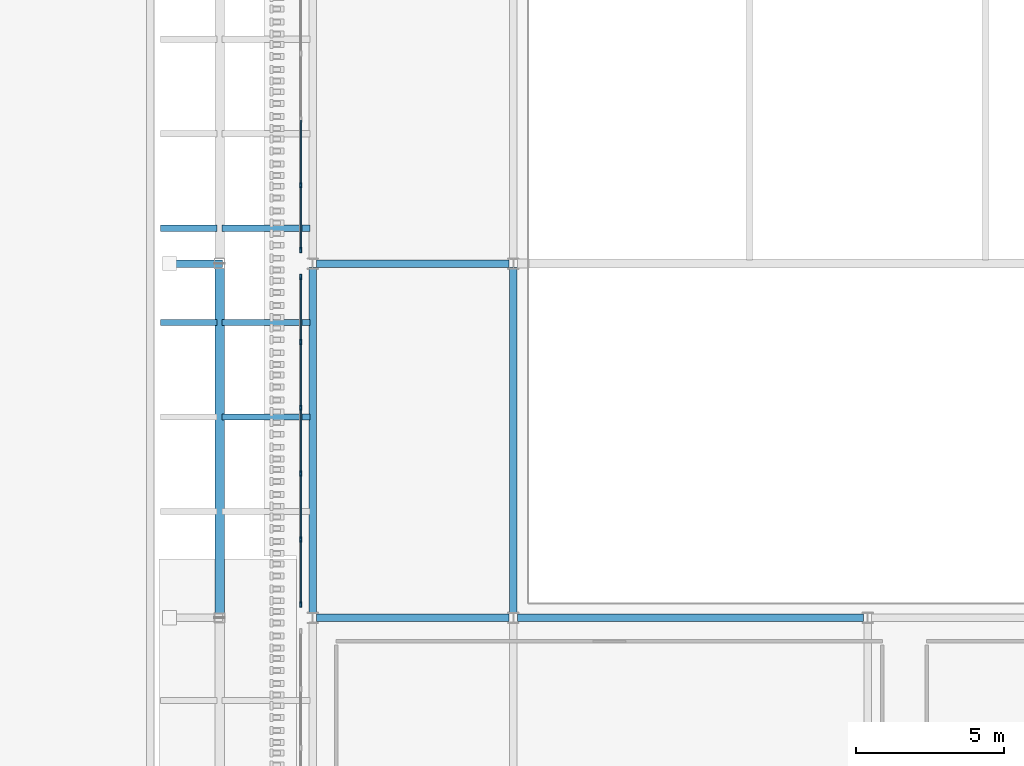
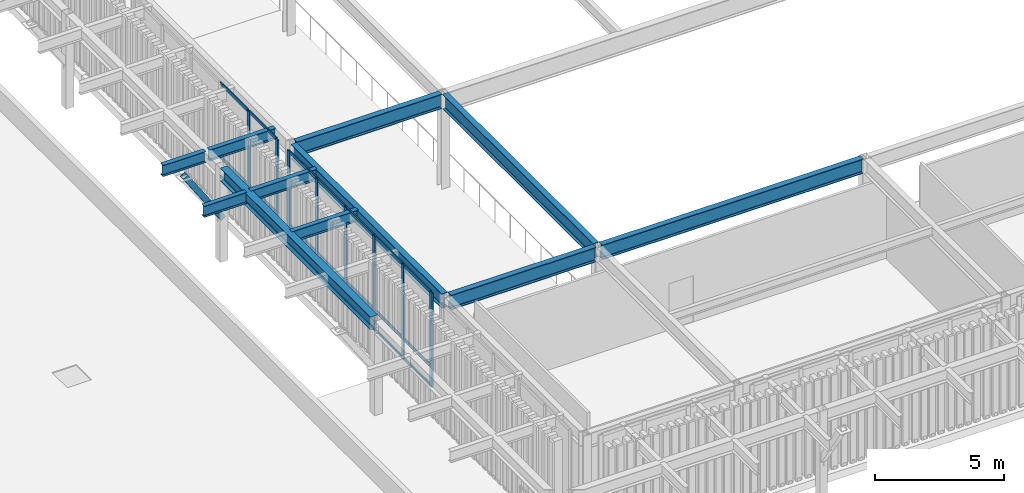
# One storey, part 44 of 126: 30 members, 11 beams, 2 elements without a shape of their own.
"""IFC4 building model written with IfcOpenShell, lengths in metres."""

import ifcopenshell
import ifcopenshell.guid

model = None  # the IFC model being written
_history = None  # IfcOwnerHistory: only IFC2X3 demands one
_inside = {}  # id of a spatial element -> (the spatial element, [elements in it])
_under = {}  # id of a project, library or spatial element -> (it, [spatial elements below it])
_declared = {}  # id of a project -> (the project, [libraries it declares])
_typed = {}  # id of a type object -> (the type object, [elements of that type])
_made_of = {}  # id of a material, layer set ... -> (it, [elements and type objects made of it])


def new_model(schema):
    """Start an empty IFC model of exactly this schema.

    Asked for "IFC4X3", IfcOpenShell would pick the latest addendum, in which some entities
    have other attributes; the version numbers below select the first issue.
    IFC2X3 requires an IfcOwnerHistory on every rooted entity: one is made here for all.
    """
    global model, _history
    if schema == "IFC4X3":
        model = ifcopenshell.file(schema_version=(4, 3, 0, 0))
    else:
        model = ifcopenshell.file(schema=schema)
    _inside.clear()
    _under.clear()
    _declared.clear()
    _typed.clear()
    _made_of.clear()
    _history = None
    if model.schema == "IFC2X3":
        org = make("IfcOrganization", Name="unknown")
        user = make(
            "IfcPersonAndOrganization",
            ThePerson=make("IfcPerson", FamilyName="unknown"),
            TheOrganization=org,
        )
        app = make(
            "IfcApplication",
            ApplicationDeveloper=org,
            Version="unknown",
            ApplicationFullName="unknown",
            ApplicationIdentifier="unknown",
        )
        _history = make(
            "IfcOwnerHistory",
            OwningUser=user,
            OwningApplication=app,
            ChangeAction="ADDED",
            CreationDate=0,
        )
    return model


def make(cls, **values):
    """One entity of the class cls with the attributes given. An attribute that is None is left unset."""
    return model.create_entity(
        cls, **{name: value for name, value in values.items() if value is not None}
    )


def rooted(cls, **values):
    """An entity with a GlobalId (a new one), such as an element, a storey or a relation."""
    return make(cls, GlobalId=ifcopenshell.guid.new(), OwnerHistory=_history, **values)


def si_unit(unit_type, name, prefix=None):
    """IfcSIUnit, for example si_unit("LENGTHUNIT", "METRE", prefix="MILLI")."""
    return make("IfcSIUnit", UnitType=unit_type, Prefix=prefix, Name=name)


def derived_unit(unit_type, elements):
    """IfcDerivedUnit: a product of units, each with its exponent."""
    return make(
        "IfcDerivedUnit",
        Elements=[
            make("IfcDerivedUnitElement", Unit=unit, Exponent=power)
            for unit, power in elements
        ],
        UnitType=unit_type,
    )


def assignment(units):
    """IfcUnitAssignment: the units of a project."""
    return None if units is None else make("IfcUnitAssignment", Units=units)


def point(xyz):
    """IfcCartesianPoint."""
    return None if xyz is None else make("IfcCartesianPoint", Coordinates=xyz)


def direction(xyz):
    """IfcDirection."""
    return None if xyz is None else make("IfcDirection", DirectionRatios=xyz)


def frame(location, z_axis=None, x_axis=None):
    """IfcAxis2Placement3D, a coordinate frame: its origin and axes. An axis left out is left unset."""
    return make(
        "IfcAxis2Placement3D",
        Location=point(location),
        Axis=direction(z_axis),
        RefDirection=direction(x_axis),
    )


def frame_2d(location, x_axis=None):
    """IfcAxis2Placement2D, a coordinate frame in the plane: its origin and x axis."""
    return make(
        "IfcAxis2Placement2D", Location=point(location), RefDirection=direction(x_axis)
    )


def origin():
    """The frame at (0, 0, 0) with its axes left unset."""
    return frame((0.0, 0.0, 0.0))


def origin_2d():
    """The frame at (0, 0) in the plane with its x axis left unset."""
    return frame_2d((0.0, 0.0))


def place(relative_to, where):
    """IfcLocalPlacement: puts the frame where relative to a parent placement (None: the world)."""
    return make(
        "IfcLocalPlacement", PlacementRelTo=relative_to, RelativePlacement=where
    )


def context(
    kind, dimensions, precision=None, world=None, true_north=None, identifier=None
):
    """IfcGeometricRepresentationContext, for example the 3D "Model" context."""
    return make(
        "IfcGeometricRepresentationContext",
        ContextIdentifier=identifier,
        ContextType=kind,
        CoordinateSpaceDimension=dimensions,
        Precision=precision,
        WorldCoordinateSystem=world,
        TrueNorth=true_north,
    )


def subcontext(parent, identifier, kind, view, scale=None):
    """IfcGeometricRepresentationSubContext, for example "Body" below "Model"."""
    return make(
        "IfcGeometricRepresentationSubContext",
        ContextIdentifier=identifier,
        ContextType=kind,
        ParentContext=parent,
        TargetScale=scale,
        TargetView=view,
    )


def project(units=None, contexts=None):
    """IfcProject with its units and contexts."""
    return rooted(
        "IfcProject",
        Name="project",
        RepresentationContexts=contexts,
        UnitsInContext=assignment(units),
    )


def spatial(cls, under=None, at=None, **own):
    """A site, building, storey or space (cls), placed at a placement, below another one or the project."""
    s = rooted(cls, ObjectPlacement=at, **own)
    if under is not None:
        _under.setdefault(under.id(), (under, []))[1].append(s)
    return s


def profile(cls, at=None, kind="AREA", **sizes):
    """A parametric profile (cls). Its sizes go by their IFC names, for example OverallWidth=200.0."""
    return make(cls, ProfileType=kind, Position=at, **sizes)


def rectangle(**sizes):
    """IfcRectangleProfileDef."""
    return profile("IfcRectangleProfileDef", **sizes)


def hollow_rectangle(**sizes):
    """IfcRectangleHollowProfileDef."""
    return profile("IfcRectangleHollowProfileDef", **sizes)


def i_section(**sizes):
    """IfcIShapeProfileDef."""
    return profile("IfcIShapeProfileDef", **sizes)


def extrude(swept, where, along, depth):
    """IfcExtrudedAreaSolid: the profile swept, set in the frame where, extruded along a direction by depth."""
    return make(
        "IfcExtrudedAreaSolid",
        SweptArea=swept,
        Position=where,
        ExtrudedDirection=direction(along),
        Depth=depth,
    )


def shape(context_of_items, identifier, shape_type, items):
    """IfcShapeRepresentation: the items that make up one representation, for example the "Body"."""
    return make(
        "IfcShapeRepresentation",
        ContextOfItems=context_of_items,
        RepresentationIdentifier=identifier,
        RepresentationType=shape_type,
        Items=items,
    )


def material(Name=None, Category=None):
    """IfcMaterial."""
    return make("IfcMaterial", Name=Name, Category=Category)


def layer(
    of_material, thickness, ventilated=None, Name=None, Category=None, Priority=None
):
    """IfcMaterialLayer: one layer of a wall or slab, of a material (None: an air gap)."""
    return make(
        "IfcMaterialLayer",
        Material=of_material,
        LayerThickness=thickness,
        IsVentilated=ventilated,
        Name=Name,
        Category=Category,
        Priority=Priority,
    )


def layer_set(layers, Name=None):
    """IfcMaterialLayerSet."""
    return make("IfcMaterialLayerSet", MaterialLayers=layers, LayerSetName=Name)


def material_profile(
    of_material, cross_section, Name=None, Category=None, Priority=None
):
    """IfcMaterialProfile: a cross section and its material."""
    return make(
        "IfcMaterialProfile",
        Name=Name,
        Material=of_material,
        Profile=cross_section,
        Priority=Priority,
        Category=Category,
    )


def profile_set(profiles, Name=None, composite=None):
    """IfcMaterialProfileSet."""
    return make(
        "IfcMaterialProfileSet",
        Name=Name,
        MaterialProfiles=profiles,
        CompositeProfile=composite,
    )


def made_of(thing, what):
    """Note that an element or type object is made of a material, layer set ...; save() writes the relation."""
    if what is not None:
        _made_of.setdefault(what.id(), (what, []))[1].append(thing)
    return thing


def type_object(cls, material=None, **own):
    """A type object (cls), such as IfcWallType, which elements share."""
    return made_of(rooted(cls, **own), material)


def element(
    cls,
    number,
    at=None,
    inside=None,
    cuts=None,
    type_object=None,
    material=None,
    context=None,
    identifier="Body",
    shape_type=None,
    held_by="IfcProductDefinitionShape",
    body=None,
    shapes=None,
    **own,
):
    """One element of the class cls, such as IfcWall. Its Tag is "e" and its number.

    at: its placement. inside: the storey or other place that contains it. cuts: it is an
    opening in that element (IfcRelVoidsElement). A single representation is given by context,
    identifier, shape_type and body (its items); several are given by shapes. held_by: the class
    of the entity that holds the representations. save() writes the other relations.
    """
    e = rooted(cls, Tag="e%d" % number, ObjectPlacement=at, **own)
    if body is not None:
        shapes = [shape(context, identifier, shape_type, body)]
    if shapes is not None:
        e.Representation = make(held_by, Representations=shapes)
    if inside is not None:
        _inside.setdefault(inside.id(), (inside, []))[1].append(e)
    if cuts is not None:
        rooted(
            "IfcRelVoidsElement", RelatingBuildingElement=cuts, RelatedOpeningElement=e
        )
    if type_object is not None:
        _typed.setdefault(type_object.id(), (type_object, []))[1].append(e)
    return made_of(e, material)


def aggregate(whole, parts):
    """IfcRelAggregates: a whole, such as a stair, and the parts it consists of."""
    return rooted("IfcRelAggregates", RelatingObject=whole, RelatedObjects=parts)


def save(model, path):
    """Write the relations noted so far, then the file.

    IfcRelAggregates (storeys below a building ...), IfcRelContainedInSpatialStructure (elements
    in a storey), IfcRelDefinesByType, IfcRelAssociatesMaterial and IfcRelDeclares: one each for
    every whole, place, type object, material and project.
    """
    for whole, parts in _under.values():
        aggregate(whole, parts)
    for where, things in _inside.values():
        rooted(
            "IfcRelContainedInSpatialStructure",
            RelatedElements=things,
            RelatingStructure=where,
        )
    for kind, things in _typed.values():
        rooted("IfcRelDefinesByType", RelatedObjects=things, RelatingType=kind)
    for what, things in _made_of.values():
        rooted("IfcRelAssociatesMaterial", RelatedObjects=things, RelatingMaterial=what)
    for by, libraries in _declared.values():
        rooted("IfcRelDeclares", RelatingContext=by, RelatedDefinitions=libraries)
    model.write(path)


model = new_model("IFC4")

# Units and contexts
model_context = context("Model", 3, precision=1e-05, world=origin(), true_north=direction((0.0, 1.0)))
body_context = subcontext(model_context, "Body", "Model", "MODEL_VIEW")
ifc_project = project(units=[si_unit("LENGTHUNIT", "METRE"), si_unit("AREAUNIT", "SQUARE_METRE"), si_unit("VOLUMEUNIT", "CUBIC_METRE"), si_unit("PLANEANGLEUNIT", "RADIAN"), si_unit("MASSUNIT", "GRAM", prefix="KILO"), derived_unit("THERMALTRANSMITTANCEUNIT", [(si_unit("MASSUNIT", "GRAM", prefix="KILO"), 1), (si_unit("TIMEUNIT", "SECOND"), -3), (si_unit("THERMODYNAMICTEMPERATUREUNIT", "KELVIN"), -1)])], contexts=[model_context])

# Site, building, storey
site_placement = place(None, origin())
site = spatial("IfcSite", under=ifc_project, at=site_placement, CompositionType="ELEMENT")
building_placement = place(site_placement, origin())
building = spatial("IfcBuilding", under=site, at=building_placement, Name="Valcora Ridge Arena", CompositionType="ELEMENT")
storey_placement = place(building_placement, frame((0.0, 0.0, 11.39990234375)))
storey = spatial("IfcBuildingStorey", under=building, at=storey_placement, Name="L02", CompositionType="ELEMENT", Elevation=11.39990234375)

# Beams
ifc_material_1 = material(Name="Steel ASTM A572 Grade 50", Category="steel")
ifc_material_profile_1 = material_profile(ifc_material_1, i_section(OverallWidth=0.324951171875, OverallDepth=0.612060546875, WebThickness=0.0126953125, FlangeThickness=0.01904296875, FilletRadius=0.01806640625, at=origin_2d()), Name="W24X104")
ifc_profile_set_1 = profile_set([ifc_material_profile_1], Name="Steel ASTM A572 Grade 50")
beam_type_1 = type_object("IfcBeamType", Name="TY-BEAM-G-COL-W24", PredefinedType="BEAM", material=ifc_profile_set_1)
beam_1_placement = place(storey_placement, frame((134.050048828125, 16.159912109375, 4.174072265625), z_axis=(0.0, 1.0, 0.0), x_axis=(-1.0, 0.0, 0.0)))
element("IfcBeam", 1, at=beam_1_placement, inside=storey, type_object=beam_type_1, Name="G-COL-W24 BEM-G-COL-W24-0003", PredefinedType="BEAM", context=body_context, shape_type="SweptSolid", body=[
    extrude(i_section(OverallWidth=0.324951171875, OverallDepth=0.612060546875, WebThickness=0.0126953125, FlangeThickness=0.01904296875, FilletRadius=0.01806640625, at=origin_2d()), origin(), (0.0, 0.0, 1.0), 11.68017578125),
])
ifc_material_profile_2 = material_profile(ifc_material_1, i_section(OverallWidth=0.256103515625, OverallDepth=0.693115234375, WebThickness=0.014404296875, FlangeThickness=0.023681640625, FilletRadius=0.02001953125, at=origin_2d()), Name="W27X114")
ifc_profile_set_2 = profile_set([ifc_material_profile_2], Name="Steel ASTM A572 Grade 50")
beam_type_2 = type_object("IfcBeamType", Name="TY-BEAM-G-W27X114-X", PredefinedType="BEAM", material=ifc_profile_set_2)
beam_2_placement = place(storey_placement, frame((137.340087890625, 16.0, 4.133544921875), z_axis=(1.0, 0.0, 0.0), x_axis=(0.0, 1.0, 0.0)))
element("IfcBeam", 2, at=beam_2_placement, inside=storey, type_object=beam_type_2, Name="G-W27X114-X BEM-G-W27X114-X-0038", PredefinedType="BEAM", context=body_context, shape_type="SweptSolid", body=[
    extrude(i_section(OverallWidth=0.256103515625, OverallDepth=0.693115234375, WebThickness=0.014404296875, FlangeThickness=0.023681640625, FilletRadius=0.02001953125, at=origin_2d()), origin(), (0.0, 0.0, 1.0), 6.52001953125),
])
beam_3_placement = place(storey_placement, frame((144.139892578125, 16.0, 4.133544921875), z_axis=(1.0, 0.0, 0.0), x_axis=(0.0, 1.0, 0.0)))
element("IfcBeam", 3, at=beam_3_placement, inside=storey, type_object=beam_type_2, Name="G-W27X114-X BEM-G-W27X114-X-0039", PredefinedType="BEAM", context=body_context, shape_type="SweptSolid", body=[
    extrude(i_section(OverallWidth=0.256103515625, OverallDepth=0.693115234375, WebThickness=0.014404296875, FlangeThickness=0.023681640625, FilletRadius=0.02001953125, at=origin_2d()), origin(), (0.0, 0.0, 1.0), 11.72021484375),
])
beam_4_placement = place(storey_placement, frame((137.340087890625, 28.0, 4.133544921875), z_axis=(1.0, 0.0, 0.0), x_axis=(0.0, 1.0, 0.0)))
element("IfcBeam", 4, at=beam_4_placement, inside=storey, type_object=beam_type_2, Name="G-W27X114-X BEM-G-W27X114-X-0041", PredefinedType="BEAM", context=body_context, shape_type="SweptSolid", body=[
    extrude(i_section(OverallWidth=0.256103515625, OverallDepth=0.693115234375, WebThickness=0.014404296875, FlangeThickness=0.023681640625, FilletRadius=0.02001953125, at=origin_2d()), origin(), (0.0, 0.0, 1.0), 6.52001953125),
])
ifc_material_profile_3 = material_profile(ifc_material_1, i_section(OverallWidth=0.256103515625, OverallDepth=0.693115234375, WebThickness=0.014404296875, FlangeThickness=0.023681640625, FilletRadius=0.02001953125, at=origin_2d()), Name="W27X114")
ifc_profile_set_3 = profile_set([ifc_material_profile_3], Name="Steel ASTM A572 Grade 50")
beam_type_3 = type_object("IfcBeamType", Name="TY-BEAM-G-W27X114-Y", PredefinedType="BEAM", material=ifc_profile_set_3)
for number, where, z_axis, x_axis, name in (
    (5, (137.199951171875, 16.139892578125, 4.133544921875), (0.0, 1.0, 0.0), (-1.0, 0.0, 0.0), "G-W27X114-Y BEM-G-W27X114-Y-0060"),
    (6, (144.0, 16.139892578125, 4.133544921875), (0.0, 1.0, 0.0), (-1.0, 0.0, 0.0), "G-W27X114-Y BEM-G-W27X114-Y-0066"),
):
    element("IfcBeam", number, at=place(storey_placement, frame(where, z_axis=z_axis, x_axis=x_axis)), inside=storey, type_object=beam_type_3, Name=name, PredefinedType="BEAM", context=body_context, shape_type="SweptSolid", body=[
        extrude(i_section(OverallWidth=0.256103515625, OverallDepth=0.693115234375, WebThickness=0.014404296875, FlangeThickness=0.023681640625, FilletRadius=0.02001953125, at=origin_2d()), origin(), (0.0, 0.0, 1.0), 11.72021484375),
    ])
ifc_material_profile_4 = material_profile(ifc_material_1, i_section(OverallWidth=0.208984375, OverallDepth=0.532958984375, WebThickness=0.01025390625, FlangeThickness=0.015625, FilletRadius=0.01611328125, at=origin_2d()), Name="W21X62")
ifc_profile_set_4 = profile_set([ifc_material_profile_4], Name="Steel ASTM A572 Grade 50")
beam_type_4 = type_object("IfcBeamType", Name="TY-BEAM-RAF-EAVE-W21", PredefinedType="BEAM", material=ifc_profile_set_4)
for number, where, z_axis, x_axis, name in (
    (7, (134.1298828125, 22.800048828125, 4.213623046875), (1.0, 0.0, 0.0), (0.0, 1.0, 0.0), "RAF-EAVE-W21 BEM-RAF-EAVE-W21-0005"),
    (8, (134.1298828125, 26.0, 4.213623046875), (1.0, 0.0, 0.0), (0.0, 1.0, 0.0), "RAF-EAVE-W21 BEM-RAF-EAVE-W21-0006"),
    (9, (134.1298828125, 29.199951171875, 4.213623046875), (1.0, 0.0, 0.0), (0.0, 1.0, 0.0), "RAF-EAVE-W21 BEM-RAF-EAVE-W21-0007"),
):
    element("IfcBeam", number, at=place(storey_placement, frame(where, z_axis=z_axis, x_axis=x_axis)), inside=storey, type_object=beam_type_4, Name=name, PredefinedType="BEAM", context=body_context, shape_type="SweptSolid", body=[
        extrude(i_section(OverallWidth=0.208984375, OverallDepth=0.532958984375, WebThickness=0.01025390625, FlangeThickness=0.015625, FilletRadius=0.01611328125, at=origin_2d()), origin(), (0.0, 0.0, 1.0), 2.990234375),
    ])
ifc_material_profile_5 = material_profile(ifc_material_1, i_section(OverallWidth=0.208984375, OverallDepth=0.532958984375, WebThickness=0.01025390625, FlangeThickness=0.015625, FilletRadius=0.01611328125, at=origin_2d()), Name="W21X62")
ifc_profile_set_5 = profile_set([ifc_material_profile_5], Name="Steel ASTM A572 Grade 50")
beam_type_5 = type_object("IfcBeamType", Name="TY-BEAM-RAF-TIP-W21", PredefinedType="BEAM", material=ifc_profile_set_5)
for number, where, z_axis, x_axis, name in (
    (10, (132.050048828125, 26.0, 4.213623046875), (1.0, 0.0, 0.0), (0.0, 1.0, 0.0), "RAF-TIP-W21 BEM-RAF-TIP-W21-0006"),
    (11, (132.050048828125, 29.199951171875, 4.213623046875), (1.0, 0.0, 0.0), (0.0, 1.0, 0.0), "RAF-TIP-W21 BEM-RAF-TIP-W21-0007"),
):
    element("IfcBeam", number, at=place(storey_placement, frame(where, z_axis=z_axis, x_axis=x_axis)), inside=storey, type_object=beam_type_5, Name=name, PredefinedType="BEAM", context=body_context, shape_type="SweptSolid", body=[
        extrude(i_section(OverallWidth=0.208984375, OverallDepth=0.532958984375, WebThickness=0.01025390625, FlangeThickness=0.015625, FilletRadius=0.01611328125, at=origin_2d()), origin(), (0.0, 0.0, 1.0), 1.919921875),
    ])

# Curtain wall, members
ifc_material_2 = material(Name="Anodised dark bronze architectural aluminium 6063-T6", Category="aluminium")
ifc_layer = layer(ifc_material_2, 0.179931640625, Name="Anodised dark bronze architectural aluminium 6063-T6")
ifc_layer_set = layer_set([ifc_layer], Name="Anodised dark bronze architectural aluminium 6063-T6")
curtain_wall_type = type_object("IfcCurtainWallType", Name="TY-CURTAINWALL-CW-V2-GLAZ-111X45", PredefinedType="NOTDEFINED", material=ifc_layer_set)
curtain_wall_1_placement = place(storey_placement, origin())
curtain_wall_1 = element("IfcCurtainWall", 12, at=curtain_wall_1_placement, inside=storey, type_object=curtain_wall_type, Name="CW-V2-GLAZ-111X45 CW-0061", PredefinedType="NOTDEFINED")
ifc_material_profile_6 = material_profile(ifc_material_2, rectangle(XDim=0.06005859375, YDim=0.179931640625, at=origin_2d()), Name="ALU MULLION 60x180")
ifc_profile_set_6 = profile_set([ifc_material_profile_6], Name="Anodised dark bronze architectural aluminium 6063-T6")
member_type_1 = type_object("IfcMemberType", Name="TY-MEM-CWM-60x180", PredefinedType="MULLION", material=ifc_profile_set_6)
member_1_placement = place(storey_placement, frame((136.800048828125, 16.45654296875, 0.0), z_axis=(0.0, 0.0, 1.0), x_axis=(-1.0, 0.0, 0.0)))
member_1 = element("IfcMember", 13, at=member_1_placement, type_object=member_type_1, Name="CW-0061/CWM-60x180/M00", PredefinedType="MULLION", context=body_context, shape_type="SweptSolid", body=[
    extrude(rectangle(XDim=0.06005859375, YDim=0.179931640625, at=origin_2d()), origin(), (0.0, 0.0, 1.0), 4.47998046875),
])
member_2_placement = place(storey_placement, frame((136.800048828125, 18.656005859375, 0.0), z_axis=(0.0, 0.0, 1.0), x_axis=(-1.0, 0.0, 0.0)))
member_2 = element("IfcMember", 14, at=member_2_placement, type_object=member_type_1, Name="CW-0061/CWM-60x180/M01", PredefinedType="MULLION", context=body_context, shape_type="SweptSolid", body=[
    extrude(rectangle(XDim=0.06005859375, YDim=0.179931640625, at=origin_2d()), origin(), (0.0, 0.0, 1.0), 4.47998046875),
])
member_3_placement = place(storey_placement, frame((136.800048828125, 20.88525390625, 0.0), z_axis=(0.0, 0.0, 1.0), x_axis=(-1.0, 0.0, 0.0)))
member_3 = element("IfcMember", 15, at=member_3_placement, type_object=member_type_1, Name="CW-0061/CWM-60x180/M02", PredefinedType="MULLION", context=body_context, shape_type="SweptSolid", body=[
    extrude(rectangle(XDim=0.06005859375, YDim=0.179931640625, at=origin_2d()), origin(), (0.0, 0.0, 1.0), 4.47998046875),
])
member_4_placement = place(storey_placement, frame((136.800048828125, 23.11474609375, 0.0), z_axis=(0.0, 0.0, 1.0), x_axis=(-1.0, 0.0, 0.0)))
member_4 = element("IfcMember", 16, at=member_4_placement, type_object=member_type_1, Name="CW-0061/CWM-60x180/M03", PredefinedType="MULLION", context=body_context, shape_type="SweptSolid", body=[
    extrude(rectangle(XDim=0.06005859375, YDim=0.179931640625, at=origin_2d()), origin(), (0.0, 0.0, 1.0), 4.47998046875),
])
member_5_placement = place(storey_placement, frame((136.800048828125, 25.343994140625, 0.0), z_axis=(0.0, 0.0, 1.0), x_axis=(-1.0, 0.0, 0.0)))
member_5 = element("IfcMember", 17, at=member_5_placement, type_object=member_type_1, Name="CW-0061/CWM-60x180/M04", PredefinedType="MULLION", context=body_context, shape_type="SweptSolid", body=[
    extrude(rectangle(XDim=0.06005859375, YDim=0.179931640625, at=origin_2d()), origin(), (0.0, 0.0, 1.0), 4.47998046875),
])
member_6_placement = place(storey_placement, frame((136.800048828125, 27.54345703125, 0.0), z_axis=(0.0, 0.0, 1.0), x_axis=(-1.0, 0.0, 0.0)))
member_6 = element("IfcMember", 18, at=member_6_placement, type_object=member_type_1, Name="CW-0061/CWM-60x180/M05", PredefinedType="MULLION", context=body_context, shape_type="SweptSolid", body=[
    extrude(rectangle(XDim=0.06005859375, YDim=0.179931640625, at=origin_2d()), origin(), (0.0, 0.0, 1.0), 4.47998046875),
])

curtain_wall_2_placement = place(storey_placement, origin())
curtain_wall_2 = element("IfcCurtainWall", 19, at=curtain_wall_2_placement, inside=storey, type_object=curtain_wall_type, Name="CW-V2-GLAZ-111X45 CW-0062", PredefinedType="NOTDEFINED")
member_7_placement = place(storey_placement, frame((136.800048828125, 28.45654296875, 0.0), z_axis=(0.0, 0.0, 1.0), x_axis=(-1.0, 0.0, 0.0)))
member_7 = element("IfcMember", 20, at=member_7_placement, type_object=member_type_1, Name="CW-0062/CWM-60x180/M00", PredefinedType="MULLION", context=body_context, shape_type="SweptSolid", body=[
    extrude(rectangle(XDim=0.06005859375, YDim=0.179931640625, at=origin_2d()), origin(), (0.0, 0.0, 1.0), 4.47998046875),
])
member_8_placement = place(storey_placement, frame((136.800048828125, 30.656005859375, 0.0), z_axis=(0.0, 0.0, 1.0), x_axis=(-1.0, 0.0, 0.0)))
member_8 = element("IfcMember", 21, at=member_8_placement, type_object=member_type_1, Name="CW-0062/CWM-60x180/M01", PredefinedType="MULLION", context=body_context, shape_type="SweptSolid", body=[
    extrude(rectangle(XDim=0.06005859375, YDim=0.179931640625, at=origin_2d()), origin(), (0.0, 0.0, 1.0), 4.47998046875),
])

# Member
ifc_material_profile_7 = material_profile(ifc_material_2, rectangle(XDim=0.050048828125, YDim=0.14990234375, at=origin_2d()), Name="ALU TRANSOM 50x150")
ifc_profile_set_7 = profile_set([ifc_material_profile_7], Name="Anodised dark bronze architectural aluminium 6063-T6")
member_type_2 = type_object("IfcMemberType", Name="TY-MEM-CWT-50x150", PredefinedType="USERDEFINED", material=ifc_profile_set_7)
member_9_placement = place(storey_placement, frame((136.800048828125, 16.486572265625, 0.025146484375), z_axis=(0.0, 1.0, 0.0), x_axis=(-1.0, 0.0, 0.0)))
member_9 = element("IfcMember", 22, at=member_9_placement, type_object=member_type_2, Name="CW-0061/CWT-50x150/T00-00", ObjectType="TRANSOM", PredefinedType="USERDEFINED", context=body_context, shape_type="SweptSolid", body=[
    extrude(rectangle(XDim=0.050048828125, YDim=0.14990234375, at=origin_2d()), origin(), (0.0, 0.0, 1.0), 2.138916015625),
])

member_10_placement = place(storey_placement, frame((136.800048828125, 16.486572265625, 0.9501953125), z_axis=(0.0, 1.0, 0.0), x_axis=(-1.0, 0.0, 0.0)))
member_10 = element("IfcMember", 23, at=member_10_placement, type_object=member_type_2, Name="CW-0061/CWT-50x150/T00-01", ObjectType="TRANSOM", PredefinedType="USERDEFINED", context=body_context, shape_type="SweptSolid", body=[
    extrude(rectangle(XDim=0.050048828125, YDim=0.14990234375, at=origin_2d()), origin(), (0.0, 0.0, 1.0), 2.138916015625),
])

member_11_placement = place(storey_placement, frame((136.800048828125, 16.486572265625, 4.455078125), z_axis=(0.0, 1.0, 0.0), x_axis=(-1.0, 0.0, 0.0)))
member_11 = element("IfcMember", 24, at=member_11_placement, type_object=member_type_2, Name="CW-0061/CWT-50x150/T00-02", ObjectType="TRANSOM", PredefinedType="USERDEFINED", context=body_context, shape_type="SweptSolid", body=[
    extrude(rectangle(XDim=0.050048828125, YDim=0.14990234375, at=origin_2d()), origin(), (0.0, 0.0, 1.0), 2.138916015625),
])

member_12_placement = place(storey_placement, frame((136.800048828125, 18.685546875, 0.025146484375), z_axis=(0.0, 1.0, 0.0), x_axis=(-1.0, 0.0, 0.0)))
member_12 = element("IfcMember", 25, at=member_12_placement, type_object=member_type_2, Name="CW-0061/CWT-50x150/T01-00", ObjectType="TRANSOM", PredefinedType="USERDEFINED", context=body_context, shape_type="SweptSolid", body=[
    extrude(rectangle(XDim=0.050048828125, YDim=0.14990234375, at=origin_2d()), origin(), (0.0, 0.0, 1.0), 2.169921875),
])

member_13_placement = place(storey_placement, frame((136.800048828125, 18.685546875, 0.9501953125), z_axis=(0.0, 1.0, 0.0), x_axis=(-1.0, 0.0, 0.0)))
member_13 = element("IfcMember", 26, at=member_13_placement, type_object=member_type_2, Name="CW-0061/CWT-50x150/T01-01", ObjectType="TRANSOM", PredefinedType="USERDEFINED", context=body_context, shape_type="SweptSolid", body=[
    extrude(rectangle(XDim=0.050048828125, YDim=0.14990234375, at=origin_2d()), origin(), (0.0, 0.0, 1.0), 2.169921875),
])

member_14_placement = place(storey_placement, frame((136.800048828125, 18.685546875, 4.455078125), z_axis=(0.0, 1.0, 0.0), x_axis=(-1.0, 0.0, 0.0)))
member_14 = element("IfcMember", 27, at=member_14_placement, type_object=member_type_2, Name="CW-0061/CWT-50x150/T01-02", ObjectType="TRANSOM", PredefinedType="USERDEFINED", context=body_context, shape_type="SweptSolid", body=[
    extrude(rectangle(XDim=0.050048828125, YDim=0.14990234375, at=origin_2d()), origin(), (0.0, 0.0, 1.0), 2.169921875),
])

member_15_placement = place(storey_placement, frame((136.800048828125, 20.91552734375, 0.025146484375), z_axis=(0.0, 1.0, 0.0), x_axis=(-1.0, 0.0, 0.0)))
member_15 = element("IfcMember", 28, at=member_15_placement, type_object=member_type_2, Name="CW-0061/CWT-50x150/T02-00", ObjectType="TRANSOM", PredefinedType="USERDEFINED", context=body_context, shape_type="SweptSolid", body=[
    extrude(rectangle(XDim=0.050048828125, YDim=0.14990234375, at=origin_2d()), origin(), (0.0, 0.0, 1.0), 2.1689453125),
])

member_16_placement = place(storey_placement, frame((136.800048828125, 20.91552734375, 0.9501953125), z_axis=(0.0, 1.0, 0.0), x_axis=(-1.0, 0.0, 0.0)))
member_16 = element("IfcMember", 29, at=member_16_placement, type_object=member_type_2, Name="CW-0061/CWT-50x150/T02-01", ObjectType="TRANSOM", PredefinedType="USERDEFINED", context=body_context, shape_type="SweptSolid", body=[
    extrude(rectangle(XDim=0.050048828125, YDim=0.14990234375, at=origin_2d()), origin(), (0.0, 0.0, 1.0), 2.1689453125),
])

member_17_placement = place(storey_placement, frame((136.800048828125, 20.91552734375, 4.455078125), z_axis=(0.0, 1.0, 0.0), x_axis=(-1.0, 0.0, 0.0)))
member_17 = element("IfcMember", 30, at=member_17_placement, type_object=member_type_2, Name="CW-0061/CWT-50x150/T02-02", ObjectType="TRANSOM", PredefinedType="USERDEFINED", context=body_context, shape_type="SweptSolid", body=[
    extrude(rectangle(XDim=0.050048828125, YDim=0.14990234375, at=origin_2d()), origin(), (0.0, 0.0, 1.0), 2.1689453125),
])

member_18_placement = place(storey_placement, frame((136.800048828125, 23.14453125, 0.025146484375), z_axis=(0.0, 1.0, 0.0), x_axis=(-1.0, 0.0, 0.0)))
member_18 = element("IfcMember", 31, at=member_18_placement, type_object=member_type_2, Name="CW-0061/CWT-50x150/T03-00", ObjectType="TRANSOM", PredefinedType="USERDEFINED", context=body_context, shape_type="SweptSolid", body=[
    extrude(rectangle(XDim=0.050048828125, YDim=0.14990234375, at=origin_2d()), origin(), (0.0, 0.0, 1.0), 2.169921875),
])

member_19_placement = place(storey_placement, frame((136.800048828125, 23.14453125, 0.9501953125), z_axis=(0.0, 1.0, 0.0), x_axis=(-1.0, 0.0, 0.0)))
member_19 = element("IfcMember", 32, at=member_19_placement, type_object=member_type_2, Name="CW-0061/CWT-50x150/T03-01", ObjectType="TRANSOM", PredefinedType="USERDEFINED", context=body_context, shape_type="SweptSolid", body=[
    extrude(rectangle(XDim=0.050048828125, YDim=0.14990234375, at=origin_2d()), origin(), (0.0, 0.0, 1.0), 2.169921875),
])

member_20_placement = place(storey_placement, frame((136.800048828125, 23.14453125, 4.455078125), z_axis=(0.0, 1.0, 0.0), x_axis=(-1.0, 0.0, 0.0)))
member_20 = element("IfcMember", 33, at=member_20_placement, type_object=member_type_2, Name="CW-0061/CWT-50x150/T03-02", ObjectType="TRANSOM", PredefinedType="USERDEFINED", context=body_context, shape_type="SweptSolid", body=[
    extrude(rectangle(XDim=0.050048828125, YDim=0.14990234375, at=origin_2d()), origin(), (0.0, 0.0, 1.0), 2.169921875),
])

member_21_placement = place(storey_placement, frame((136.800048828125, 25.37451171875, 0.025146484375), z_axis=(0.0, 1.0, 0.0), x_axis=(-1.0, 0.0, 0.0)))
member_21 = element("IfcMember", 34, at=member_21_placement, type_object=member_type_2, Name="CW-0061/CWT-50x150/T04-00", ObjectType="TRANSOM", PredefinedType="USERDEFINED", context=body_context, shape_type="SweptSolid", body=[
    extrude(rectangle(XDim=0.050048828125, YDim=0.14990234375, at=origin_2d()), origin(), (0.0, 0.0, 1.0), 2.138916015625),
])

member_22_placement = place(storey_placement, frame((136.800048828125, 25.37451171875, 0.9501953125), z_axis=(0.0, 1.0, 0.0), x_axis=(-1.0, 0.0, 0.0)))
member_22 = element("IfcMember", 35, at=member_22_placement, type_object=member_type_2, Name="CW-0061/CWT-50x150/T04-01", ObjectType="TRANSOM", PredefinedType="USERDEFINED", context=body_context, shape_type="SweptSolid", body=[
    extrude(rectangle(XDim=0.050048828125, YDim=0.14990234375, at=origin_2d()), origin(), (0.0, 0.0, 1.0), 2.138916015625),
])

member_23_placement = place(storey_placement, frame((136.800048828125, 25.37451171875, 4.455078125), z_axis=(0.0, 1.0, 0.0), x_axis=(-1.0, 0.0, 0.0)))
member_23 = element("IfcMember", 36, at=member_23_placement, type_object=member_type_2, Name="CW-0061/CWT-50x150/T04-02", ObjectType="TRANSOM", PredefinedType="USERDEFINED", context=body_context, shape_type="SweptSolid", body=[
    extrude(rectangle(XDim=0.050048828125, YDim=0.14990234375, at=origin_2d()), origin(), (0.0, 0.0, 1.0), 2.138916015625),
])

aggregate(curtain_wall_1, [member_1, member_2, member_3, member_4, member_5, member_6, member_9, member_10, member_11, member_12, member_13, member_14, member_15, member_16, member_17, member_18, member_19, member_20, member_21, member_22, member_23])

member_24_placement = place(storey_placement, frame((136.800048828125, 28.486572265625, 0.025146484375), z_axis=(0.0, 1.0, 0.0), x_axis=(-1.0, 0.0, 0.0)))
member_24 = element("IfcMember", 37, at=member_24_placement, type_object=member_type_2, Name="CW-0062/CWT-50x150/T00-00", ObjectType="TRANSOM", PredefinedType="USERDEFINED", context=body_context, shape_type="SweptSolid", body=[
    extrude(rectangle(XDim=0.050048828125, YDim=0.14990234375, at=origin_2d()), origin(), (0.0, 0.0, 1.0), 2.138916015625),
])

member_25_placement = place(storey_placement, frame((136.800048828125, 28.486572265625, 0.9501953125), z_axis=(0.0, 1.0, 0.0), x_axis=(-1.0, 0.0, 0.0)))
member_25 = element("IfcMember", 38, at=member_25_placement, type_object=member_type_2, Name="CW-0062/CWT-50x150/T00-01", ObjectType="TRANSOM", PredefinedType="USERDEFINED", context=body_context, shape_type="SweptSolid", body=[
    extrude(rectangle(XDim=0.050048828125, YDim=0.14990234375, at=origin_2d()), origin(), (0.0, 0.0, 1.0), 2.138916015625),
])

member_26_placement = place(storey_placement, frame((136.800048828125, 28.486572265625, 4.455078125), z_axis=(0.0, 1.0, 0.0), x_axis=(-1.0, 0.0, 0.0)))
member_26 = element("IfcMember", 39, at=member_26_placement, type_object=member_type_2, Name="CW-0062/CWT-50x150/T00-02", ObjectType="TRANSOM", PredefinedType="USERDEFINED", context=body_context, shape_type="SweptSolid", body=[
    extrude(rectangle(XDim=0.050048828125, YDim=0.14990234375, at=origin_2d()), origin(), (0.0, 0.0, 1.0), 2.138916015625),
])

member_27_placement = place(storey_placement, frame((136.800048828125, 30.685546875, 0.025146484375), z_axis=(0.0, 1.0, 0.0), x_axis=(-1.0, 0.0, 0.0)))
member_27 = element("IfcMember", 40, at=member_27_placement, type_object=member_type_2, Name="CW-0062/CWT-50x150/T01-00", ObjectType="TRANSOM", PredefinedType="USERDEFINED", context=body_context, shape_type="SweptSolid", body=[
    extrude(rectangle(XDim=0.050048828125, YDim=0.14990234375, at=origin_2d()), origin(), (0.0, 0.0, 1.0), 2.169921875),
])

member_28_placement = place(storey_placement, frame((136.800048828125, 30.685546875, 0.9501953125), z_axis=(0.0, 1.0, 0.0), x_axis=(-1.0, 0.0, 0.0)))
member_28 = element("IfcMember", 41, at=member_28_placement, type_object=member_type_2, Name="CW-0062/CWT-50x150/T01-01", ObjectType="TRANSOM", PredefinedType="USERDEFINED", context=body_context, shape_type="SweptSolid", body=[
    extrude(rectangle(XDim=0.050048828125, YDim=0.14990234375, at=origin_2d()), origin(), (0.0, 0.0, 1.0), 2.169921875),
])

member_29_placement = place(storey_placement, frame((136.800048828125, 30.685546875, 4.455078125), z_axis=(0.0, 1.0, 0.0), x_axis=(-1.0, 0.0, 0.0)))
member_29 = element("IfcMember", 42, at=member_29_placement, type_object=member_type_2, Name="CW-0062/CWT-50x150/T01-02", ObjectType="TRANSOM", PredefinedType="USERDEFINED", context=body_context, shape_type="SweptSolid", body=[
    extrude(rectangle(XDim=0.050048828125, YDim=0.14990234375, at=origin_2d()), origin(), (0.0, 0.0, 1.0), 2.169921875),
])

aggregate(curtain_wall_2, [member_7, member_8, member_24, member_25, member_26, member_27, member_28, member_29])

ifc_material_3 = material(Name="Steel ASTM A500 Grade C", Category="steel")
ifc_material_profile_8 = material_profile(ifc_material_3, hollow_rectangle(XDim=0.25, YDim=0.25, WallThickness=0.012451171875, at=origin_2d()), Name="HSS250X250X12")
ifc_profile_set_8 = profile_set([ifc_material_profile_8], Name="Steel ASTM A500 Grade C")
member_type_3 = type_object("IfcMemberType", Name="TY-MEMBER-KBG-250", PredefinedType="BRACE", material=ifc_profile_set_8)
member_30_placement = place(storey_placement, frame((134.050048828125, 28.0, 2.0), z_axis=(-0.55317758564, 0.0, 0.833063358182), x_axis=(0.0, -1.0, 0.0)))
element("IfcMember", 43, at=member_30_placement, inside=storey, type_object=member_type_3, Name="KBG-250 Knee Brace", PredefinedType="BRACE", context=body_context, shape_type="SweptSolid", body=[
    extrude(hollow_rectangle(XDim=0.25, YDim=0.25, WallThickness=0.012451171875, at=origin_2d()), origin(), (0.0, 0.0, 1.0), 3.072998046875),
])

save(model, "model.ifc")
